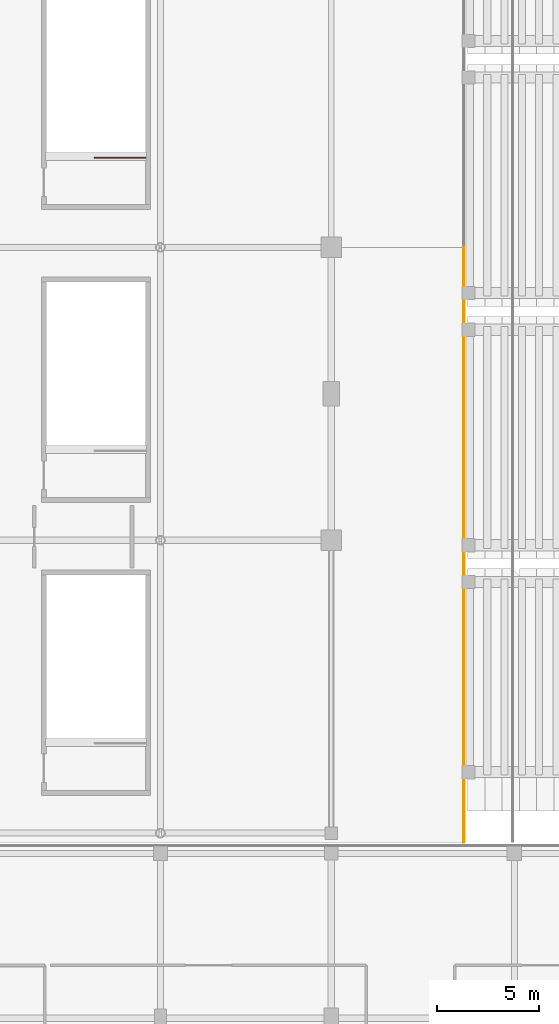
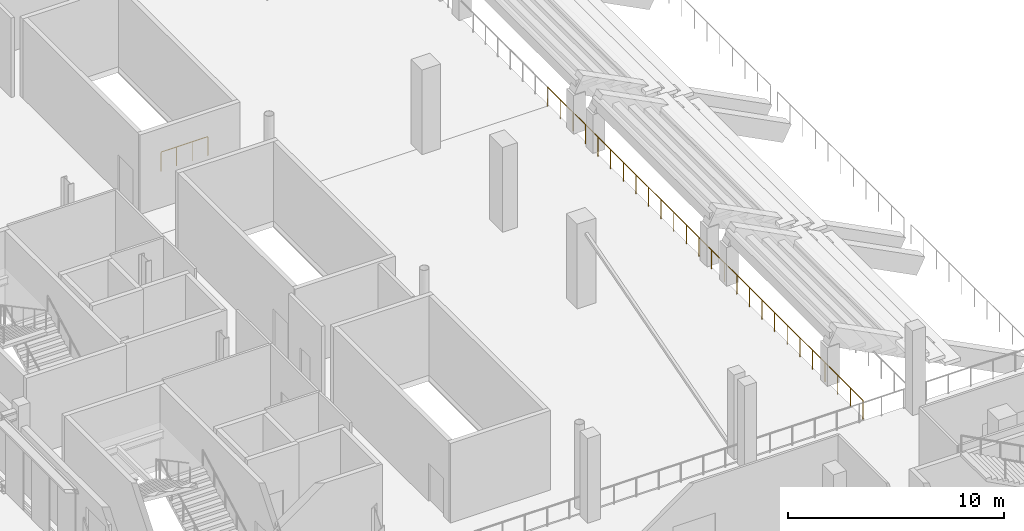
# One storey, part 55 of 74: 2 railings.
"""IFC4 building model written with IfcOpenShell, lengths in metres."""

import ifcopenshell
import ifcopenshell.guid

model = None  # the IFC model being written
_history = None  # IfcOwnerHistory: only IFC2X3 demands one
_inside = {}  # id of a spatial element -> (the spatial element, [elements in it])
_under = {}  # id of a project, library or spatial element -> (it, [spatial elements below it])
_declared = {}  # id of a project -> (the project, [libraries it declares])
_typed = {}  # id of a type object -> (the type object, [elements of that type])
_made_of = {}  # id of a material, layer set ... -> (it, [elements and type objects made of it])


def new_model(schema):
    """Start an empty IFC model of exactly this schema.

    Asked for "IFC4X3", IfcOpenShell would pick the latest addendum, in which some entities
    have other attributes; the version numbers below select the first issue.
    IFC2X3 requires an IfcOwnerHistory on every rooted entity: one is made here for all.
    """
    global model, _history
    if schema == "IFC4X3":
        model = ifcopenshell.file(schema_version=(4, 3, 0, 0))
    else:
        model = ifcopenshell.file(schema=schema)
    _inside.clear()
    _under.clear()
    _declared.clear()
    _typed.clear()
    _made_of.clear()
    _history = None
    if model.schema == "IFC2X3":
        org = make("IfcOrganization", Name="unknown")
        user = make(
            "IfcPersonAndOrganization",
            ThePerson=make("IfcPerson", FamilyName="unknown"),
            TheOrganization=org,
        )
        app = make(
            "IfcApplication",
            ApplicationDeveloper=org,
            Version="unknown",
            ApplicationFullName="unknown",
            ApplicationIdentifier="unknown",
        )
        _history = make(
            "IfcOwnerHistory",
            OwningUser=user,
            OwningApplication=app,
            ChangeAction="ADDED",
            CreationDate=0,
        )
    return model


def make(cls, **values):
    """One entity of the class cls with the attributes given. An attribute that is None is left unset."""
    return model.create_entity(
        cls, **{name: value for name, value in values.items() if value is not None}
    )


def rooted(cls, **values):
    """An entity with a GlobalId (a new one), such as an element, a storey or a relation."""
    return make(cls, GlobalId=ifcopenshell.guid.new(), OwnerHistory=_history, **values)


def si_unit(unit_type, name, prefix=None):
    """IfcSIUnit, for example si_unit("LENGTHUNIT", "METRE", prefix="MILLI")."""
    return make("IfcSIUnit", UnitType=unit_type, Prefix=prefix, Name=name)


def assignment(units):
    """IfcUnitAssignment: the units of a project."""
    return None if units is None else make("IfcUnitAssignment", Units=units)


def point(xyz):
    """IfcCartesianPoint."""
    return None if xyz is None else make("IfcCartesianPoint", Coordinates=xyz)


def direction(xyz):
    """IfcDirection."""
    return None if xyz is None else make("IfcDirection", DirectionRatios=xyz)


def frame(location, z_axis=None, x_axis=None):
    """IfcAxis2Placement3D, a coordinate frame: its origin and axes. An axis left out is left unset."""
    return make(
        "IfcAxis2Placement3D",
        Location=point(location),
        Axis=direction(z_axis),
        RefDirection=direction(x_axis),
    )


def frame_2d(location, x_axis=None):
    """IfcAxis2Placement2D, a coordinate frame in the plane: its origin and x axis."""
    return make(
        "IfcAxis2Placement2D", Location=point(location), RefDirection=direction(x_axis)
    )


def origin():
    """The frame at (0, 0, 0) with its axes left unset."""
    return frame((0.0, 0.0, 0.0))


def origin_2d():
    """The frame at (0, 0) in the plane with its x axis left unset."""
    return frame_2d((0.0, 0.0))


def place(relative_to, where):
    """IfcLocalPlacement: puts the frame where relative to a parent placement (None: the world)."""
    return make(
        "IfcLocalPlacement", PlacementRelTo=relative_to, RelativePlacement=where
    )


def context(
    kind, dimensions, precision=None, world=None, true_north=None, identifier=None
):
    """IfcGeometricRepresentationContext, for example the 3D "Model" context."""
    return make(
        "IfcGeometricRepresentationContext",
        ContextIdentifier=identifier,
        ContextType=kind,
        CoordinateSpaceDimension=dimensions,
        Precision=precision,
        WorldCoordinateSystem=world,
        TrueNorth=true_north,
    )


def subcontext(parent, identifier, kind, view, scale=None):
    """IfcGeometricRepresentationSubContext, for example "Body" below "Model"."""
    return make(
        "IfcGeometricRepresentationSubContext",
        ContextIdentifier=identifier,
        ContextType=kind,
        ParentContext=parent,
        TargetScale=scale,
        TargetView=view,
    )


def project(units=None, contexts=None):
    """IfcProject with its units and contexts."""
    return rooted(
        "IfcProject",
        Name="project",
        RepresentationContexts=contexts,
        UnitsInContext=assignment(units),
    )


def spatial(cls, under=None, at=None, **own):
    """A site, building, storey or space (cls), placed at a placement, below another one or the project."""
    s = rooted(cls, ObjectPlacement=at, **own)
    if under is not None:
        _under.setdefault(under.id(), (under, []))[1].append(s)
    return s


def profile(cls, at=None, kind="AREA", **sizes):
    """A parametric profile (cls). Its sizes go by their IFC names, for example OverallWidth=200.0."""
    return make(cls, ProfileType=kind, Position=at, **sizes)


def circle(**sizes):
    """IfcCircleProfileDef."""
    return profile("IfcCircleProfileDef", **sizes)


def extrude(swept, where, along, depth):
    """IfcExtrudedAreaSolid: the profile swept, set in the frame where, extruded along a direction by depth."""
    return make(
        "IfcExtrudedAreaSolid",
        SweptArea=swept,
        Position=where,
        ExtrudedDirection=direction(along),
        Depth=depth,
    )


def shape(context_of_items, identifier, shape_type, items):
    """IfcShapeRepresentation: the items that make up one representation, for example the "Body"."""
    return make(
        "IfcShapeRepresentation",
        ContextOfItems=context_of_items,
        RepresentationIdentifier=identifier,
        RepresentationType=shape_type,
        Items=items,
    )


def material(Name=None, Category=None):
    """IfcMaterial."""
    return make("IfcMaterial", Name=Name, Category=Category)


def made_of(thing, what):
    """Note that an element or type object is made of a material, layer set ...; save() writes the relation."""
    if what is not None:
        _made_of.setdefault(what.id(), (what, []))[1].append(thing)
    return thing


def type_object(cls, material=None, **own):
    """A type object (cls), such as IfcWallType, which elements share."""
    return made_of(rooted(cls, **own), material)


def element(
    cls,
    number,
    at=None,
    inside=None,
    cuts=None,
    type_object=None,
    material=None,
    context=None,
    identifier="Body",
    shape_type=None,
    held_by="IfcProductDefinitionShape",
    body=None,
    shapes=None,
    **own,
):
    """One element of the class cls, such as IfcWall. Its Tag is "e" and its number.

    at: its placement. inside: the storey or other place that contains it. cuts: it is an
    opening in that element (IfcRelVoidsElement). A single representation is given by context,
    identifier, shape_type and body (its items); several are given by shapes. held_by: the class
    of the entity that holds the representations. save() writes the other relations.
    """
    e = rooted(cls, Tag="e%d" % number, ObjectPlacement=at, **own)
    if body is not None:
        shapes = [shape(context, identifier, shape_type, body)]
    if shapes is not None:
        e.Representation = make(held_by, Representations=shapes)
    if inside is not None:
        _inside.setdefault(inside.id(), (inside, []))[1].append(e)
    if cuts is not None:
        rooted(
            "IfcRelVoidsElement", RelatingBuildingElement=cuts, RelatedOpeningElement=e
        )
    if type_object is not None:
        _typed.setdefault(type_object.id(), (type_object, []))[1].append(e)
    return made_of(e, material)


def aggregate(whole, parts):
    """IfcRelAggregates: a whole, such as a stair, and the parts it consists of."""
    return rooted("IfcRelAggregates", RelatingObject=whole, RelatedObjects=parts)


def save(model, path):
    """Write the relations noted so far, then the file.

    IfcRelAggregates (storeys below a building ...), IfcRelContainedInSpatialStructure (elements
    in a storey), IfcRelDefinesByType, IfcRelAssociatesMaterial and IfcRelDeclares: one each for
    every whole, place, type object, material and project.
    """
    for whole, parts in _under.values():
        aggregate(whole, parts)
    for where, things in _inside.values():
        rooted(
            "IfcRelContainedInSpatialStructure",
            RelatedElements=things,
            RelatingStructure=where,
        )
    for kind, things in _typed.values():
        rooted("IfcRelDefinesByType", RelatedObjects=things, RelatingType=kind)
    for what, things in _made_of.values():
        rooted("IfcRelAssociatesMaterial", RelatedObjects=things, RelatingMaterial=what)
    for by, libraries in _declared.values():
        rooted("IfcRelDeclares", RelatingContext=by, RelatedDefinitions=libraries)
    model.write(path)


model = new_model("IFC4")

# Units and contexts
model_context = context("Model", 3, precision=1e-05, world=origin(), true_north=direction((0.0, 1.0)))
body_context = subcontext(model_context, "Body", "Model", "MODEL_VIEW")
ifc_project = project(units=[si_unit("LENGTHUNIT", "METRE"), si_unit("AREAUNIT", "SQUARE_METRE"), si_unit("VOLUMEUNIT", "CUBIC_METRE"), si_unit("PLANEANGLEUNIT", "RADIAN"), si_unit("MASSUNIT", "GRAM", prefix="KILO")], contexts=[model_context])

# Site, building, storey
site_placement = place(None, origin())
site = spatial("IfcSite", under=ifc_project, at=site_placement, CompositionType="ELEMENT")
building_placement = place(site_placement, origin())
building = spatial("IfcBuilding", under=site, at=building_placement, Name="Koshinbarg Plaza Stadium", CompositionType="ELEMENT")
storey_placement = place(building_placement, frame((0.0, 0.0, 15.0)))
storey = spatial("IfcBuildingStorey", under=building, at=storey_placement, Name="L03", CompositionType="ELEMENT", Elevation=15.0)

# Railings
ifc_material_1 = material(Name="Toughened laminated glass and stainless steel sightline balustrade", Category="steel")
railing_type_1 = type_object("IfcRailingType", Name="RL-BOWL-1100", PredefinedType="BALUSTRADE", material=ifc_material_1)
railing_1_placement = place(storey_placement, frame((61.1201171875, 54.300048828125, 0.0)))
element("IfcRailing", 1, at=railing_1_placement, inside=storey, type_object=railing_type_1, Name="L03 deck edge safety balustrade 0227", PredefinedType="BALUSTRADE", context=body_context, shape_type="SweptSolid", body=[
    extrude(circle(Radius=0.02392578125, at=origin_2d()), frame((0.0, 0.0, 1.076171875), z_axis=(0.0, -1.0, 0.0), x_axis=(1.0, 0.0, 0.0)), (0.0, 0.0, 1.0), 29.255126953125),
    extrude(circle(Radius=0.02099609375, at=origin_2d()), origin(), (0.0, 0.0, 1.0), 1.052001953125),
    extrude(circle(Radius=0.02099609375, at=origin_2d()), frame((0.0, -1.170166015625, 0.0)), (0.0, 0.0, 1.0), 1.052001953125),
    extrude(circle(Radius=0.02099609375, at=origin_2d()), frame((0.0, -2.34033203125, 0.0)), (0.0, 0.0, 1.0), 1.052001953125),
    extrude(circle(Radius=0.02099609375, at=origin_2d()), frame((0.0, -3.510498046875, 0.0)), (0.0, 0.0, 1.0), 1.052001953125),
    extrude(circle(Radius=0.02099609375, at=origin_2d()), frame((0.0, -4.680908203125, 0.0)), (0.0, 0.0, 1.0), 1.052001953125),
    extrude(circle(Radius=0.02099609375, at=origin_2d()), frame((0.0, -5.85107421875, 0.0)), (0.0, 0.0, 1.0), 1.052001953125),
    extrude(circle(Radius=0.02099609375, at=origin_2d()), frame((0.0, -7.021240234375, 0.0)), (0.0, 0.0, 1.0), 1.052001953125),
    extrude(circle(Radius=0.02099609375, at=origin_2d()), frame((0.0, -8.19140625, 0.0)), (0.0, 0.0, 1.0), 1.052001953125),
    extrude(circle(Radius=0.02099609375, at=origin_2d()), frame((0.0, -9.361572265625, 0.0)), (0.0, 0.0, 1.0), 1.052001953125),
    extrude(circle(Radius=0.02099609375, at=origin_2d()), frame((0.0, -10.53173828125, 0.0)), (0.0, 0.0, 1.0), 1.052001953125),
    extrude(circle(Radius=0.02099609375, at=origin_2d()), frame((0.0, -11.7021484375, 0.0)), (0.0, 0.0, 1.0), 1.052001953125),
    extrude(circle(Radius=0.02099609375, at=origin_2d()), frame((0.0, -12.872314453125, 0.0)), (0.0, 0.0, 1.0), 1.052001953125),
    extrude(circle(Radius=0.02099609375, at=origin_2d()), frame((0.0, -14.04248046875, 0.0)), (0.0, 0.0, 1.0), 1.052001953125),
    extrude(circle(Radius=0.02099609375, at=origin_2d()), frame((0.0, -15.212646484375, 0.0)), (0.0, 0.0, 1.0), 1.052001953125),
    extrude(circle(Radius=0.02099609375, at=origin_2d()), frame((0.0, -16.3828125, 0.0)), (0.0, 0.0, 1.0), 1.052001953125),
    extrude(circle(Radius=0.02099609375, at=origin_2d()), frame((0.0, -17.552978515625, 0.0)), (0.0, 0.0, 1.0), 1.052001953125),
    extrude(circle(Radius=0.02099609375, at=origin_2d()), frame((0.0, -18.723388671875, 0.0)), (0.0, 0.0, 1.0), 1.052001953125),
    extrude(circle(Radius=0.02099609375, at=origin_2d()), frame((0.0, -19.8935546875, 0.0)), (0.0, 0.0, 1.0), 1.052001953125),
    extrude(circle(Radius=0.02099609375, at=origin_2d()), frame((0.0, -21.063720703125, 0.0)), (0.0, 0.0, 1.0), 1.052001953125),
    extrude(circle(Radius=0.02099609375, at=origin_2d()), frame((0.0, -22.23388671875, 0.0)), (0.0, 0.0, 1.0), 1.052001953125),
    extrude(circle(Radius=0.02099609375, at=origin_2d()), frame((0.0, -23.404052734375, 0.0)), (0.0, 0.0, 1.0), 1.052001953125),
    extrude(circle(Radius=0.02099609375, at=origin_2d()), frame((0.0, -24.57421875, 0.0)), (0.0, 0.0, 1.0), 1.052001953125),
    extrude(circle(Radius=0.02099609375, at=origin_2d()), frame((0.0, -25.74462890625, 0.0)), (0.0, 0.0, 1.0), 1.052001953125),
    extrude(circle(Radius=0.02099609375, at=origin_2d()), frame((0.0, -26.914794921875, 0.0)), (0.0, 0.0, 1.0), 1.052001953125),
    extrude(circle(Radius=0.02099609375, at=origin_2d()), frame((0.0, -28.0849609375, 0.0)), (0.0, 0.0, 1.0), 1.052001953125),
    extrude(circle(Radius=0.02099609375, at=origin_2d()), frame((0.0, -29.255126953125, 0.0)), (0.0, 0.0, 1.0), 1.052001953125),
])
ifc_material_2 = material(Name="Galvanized painted steel guardrail", Category="steel")
railing_type_2 = type_object("IfcRailingType", Name="RL-GUARD-1100", PredefinedType="GUARDRAIL", material=ifc_material_2)
railing_2_placement = place(storey_placement, frame((45.469970703125, 58.7099609375, 0.0)))
element("IfcRailing", 2, at=railing_2_placement, inside=storey, type_object=railing_type_2, Name="L03 VX03 top stairwell guard 1", PredefinedType="GUARDRAIL", context=body_context, shape_type="SweptSolid", body=[
    extrude(circle(Radius=0.02392578125, at=origin_2d()), frame((0.0, 0.0, 1.076171875), z_axis=(-1.0, 0.0, 0.0), x_axis=(0.0, -1.0, 0.0)), (0.0, 0.0, 1.0), 2.510009765625),
    extrude(circle(Radius=0.02099609375, at=origin_2d()), origin(), (0.0, 0.0, 1.0), 1.052001953125),
    extrude(circle(Radius=0.02099609375, at=origin_2d()), frame((-0.836669921875, 0.0, 0.0)), (0.0, 0.0, 1.0), 1.052001953125),
    extrude(circle(Radius=0.02099609375, at=origin_2d()), frame((-1.67333984375, 0.0, 0.0)), (0.0, 0.0, 1.0), 1.052001953125),
    extrude(circle(Radius=0.02099609375, at=origin_2d()), frame((-2.510009765625, 0.0, 0.0)), (0.0, 0.0, 1.0), 1.052001953125),
])

save(model, "model.ifc")
